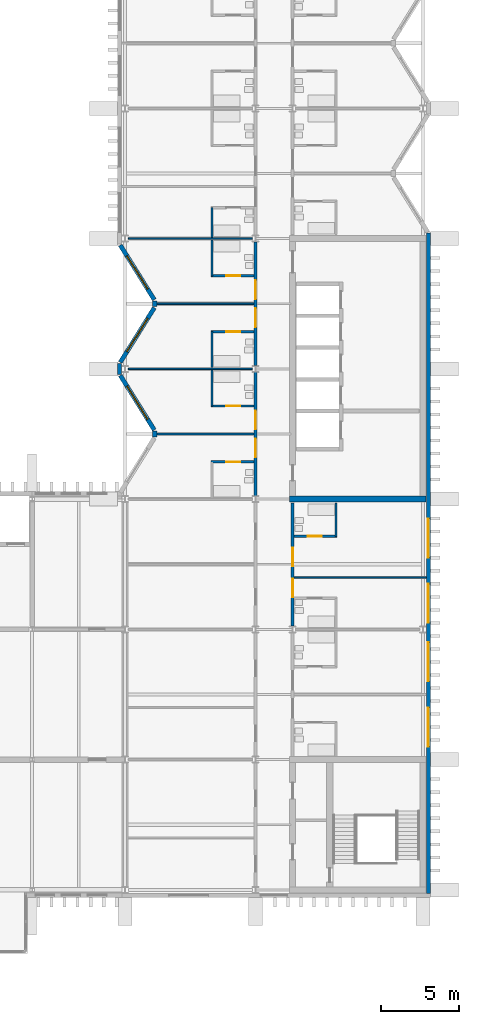
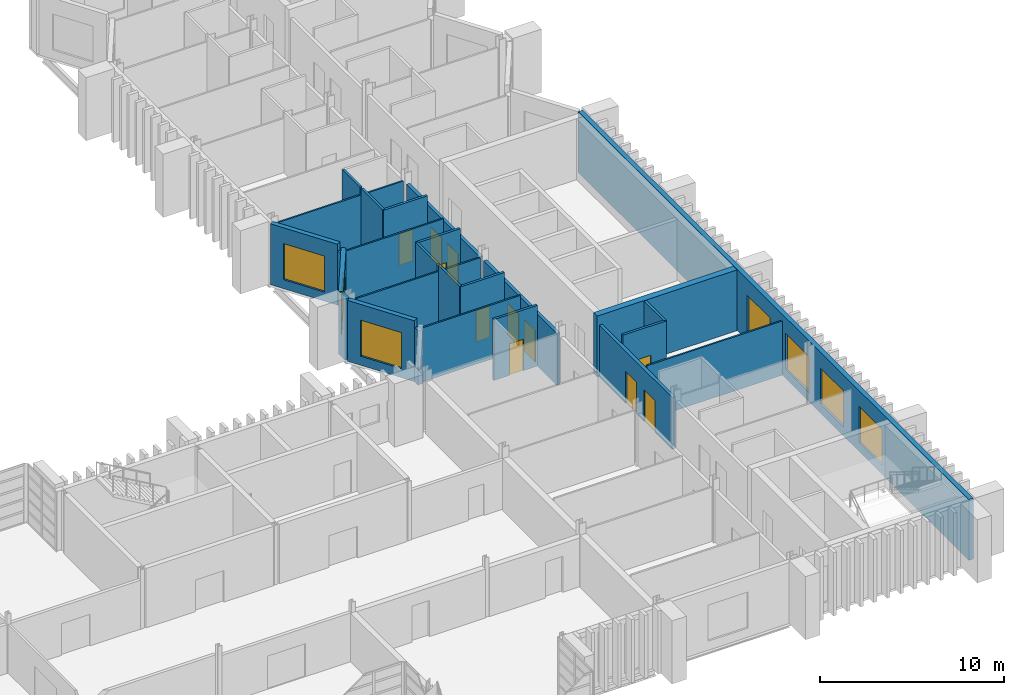
# One storey, part 67 of 88: 26 walls, 11 doors, 7 windows, 18 openings.
"""IFC4 building model written with IfcOpenShell, lengths in metres."""

from ifc_helpers import new_model, si_unit, direction, frame, frame_2d, origin, place, context, subcontext, project, spatial, rectangle, extrude, material, layer, layer_set, type_object, element, fill, save


model = new_model("IFC4")

# Units and contexts
model_context = context("Model", 3, precision=1e-05, world=origin(), true_north=direction((0.0, 1.0)))
body_context = subcontext(model_context, "Body", "Model", "MODEL_VIEW")
ifc_project = project(units=[si_unit("LENGTHUNIT", "METRE"), si_unit("AREAUNIT", "SQUARE_METRE"), si_unit("VOLUMEUNIT", "CUBIC_METRE"), si_unit("PLANEANGLEUNIT", "RADIAN"), si_unit("MASSUNIT", "GRAM", prefix="KILO")], contexts=[model_context])

# Site, building, storey
site_placement = place(None, origin())
site = spatial("IfcSite", under=ifc_project, at=site_placement, CompositionType="ELEMENT")
building_placement = place(site_placement, origin())
building = spatial("IfcBuilding", under=site, at=building_placement, Name="Cresset Court Congress Hotel", CompositionType="ELEMENT")
storey_placement = place(building_placement, frame((0.0, 0.0, 14.39990234375)))
storey = spatial("IfcBuildingStorey", under=building, at=storey_placement, Name="L03", CompositionType="ELEMENT", Elevation=14.39990234375)

# Wall, openings, doors
ifc_material_1 = material(Name="Gypsum board partition")
ifc_layer_1 = layer(ifc_material_1, 0.199951171875)
ifc_layer_set_1 = layer_set([ifc_layer_1], Name="Corridor wall 200")
wall_type_1 = type_object("IfcWallType", Name="Corridor wall 200", PredefinedType="PARTITIONING", material=ifc_layer_set_1)
wall_1_placement = place(storey_placement, frame((165.60009765625, 25.406982421875, 0.0), z_axis=(0.0, 0.0, 1.0), x_axis=(0.0, 1.0, 0.0)))
wall_1 = element("IfcWall", 1, at=wall_1_placement, inside=storey, type_object=wall_type_1, Name="A.wl.L03.064", PredefinedType="PARTITIONING", context=body_context, shape_type="SweptSolid", body=[
    extrude(rectangle(XDim=7.986083984375, YDim=0.199951171875, at=frame_2d((3.9931640625, 0.0))), origin(), (0.0, 0.0, 1.0), 3.4501953125),
])
opening_1_placement = place(wall_1_placement, frame((2.492919921875, 0.0, 0.0)))
opening_1 = element("IfcOpeningElement", 2, at=opening_1_placement, cuts=wall_1, Name="Opening DA-03-08", PredefinedType="OPENING", context=body_context, shape_type="SweptSolid", body=[
    extrude(rectangle(XDim=1.199951171875, YDim=2.10009765625, at=frame_2d((0.60009765625, 1.050048828125))), frame((0.0, 0.10986328125, 0.0), z_axis=(0.0, -1.0, 0.0), x_axis=(1.0, 0.0, 0.0)), (0.0, 0.0, 1.0), 0.219970703125),
])
opening_2_placement = place(wall_1_placement, frame((4.29296875, 0.0, 0.0)))
opening_2 = element("IfcOpeningElement", 3, at=opening_2_placement, cuts=wall_1, Name="Opening DA-03-10", PredefinedType="OPENING", context=body_context, shape_type="SweptSolid", body=[
    extrude(rectangle(XDim=1.199951171875, YDim=2.10009765625, at=frame_2d((0.60009765625, 1.050048828125))), frame((0.0, 0.10986328125, 0.0), z_axis=(0.0, -1.0, 0.0), x_axis=(1.0, 0.0, 0.0)), (0.0, 0.0, 1.0), 0.219970703125),
])
ifc_material_2 = material(Name="timber", Category="wood")
door_type_1 = type_object("IfcDoorType", Name="Guest-room entry door 1200x2100 FD30S", OperationType="SINGLE_SWING_LEFT", PredefinedType="DOOR", material=ifc_material_2)
door_1_placement = place(opening_1_placement, origin())
door_1 = element("IfcDoor", 4, at=door_1_placement, inside=storey, type_object=door_type_1, Name="Door DA-03-08", OperationType="SINGLE_SWING_RIGHT", OverallHeight=2.10009765625, OverallWidth=1.199951171875, PredefinedType="DOOR", context=body_context, shape_type="SweptSolid", body=[
    extrude(rectangle(XDim=1.199951171875, YDim=2.10009765625, at=frame_2d((0.60009765625, 1.050048828125))), frame((0.0, 0.02490234375, 0.0), z_axis=(0.0, -1.0, 0.0), x_axis=(1.0, 0.0, 0.0)), (0.0, 0.0, 1.0), 0.050048828125),
])
fill(opening_1, door_1)
door_2_placement = place(opening_2_placement, origin())
door_2 = element("IfcDoor", 5, at=door_2_placement, inside=storey, type_object=door_type_1, Name="Door DA-03-10", OperationType="SINGLE_SWING_LEFT", OverallHeight=2.10009765625, OverallWidth=1.199951171875, PredefinedType="DOOR", context=body_context, shape_type="SweptSolid", body=[
    extrude(rectangle(XDim=1.199951171875, YDim=2.10009765625, at=frame_2d((0.60009765625, 1.050048828125))), frame((0.0, 0.02490234375, 0.0), z_axis=(0.0, -1.0, 0.0), x_axis=(1.0, 0.0, 0.0)), (0.0, 0.0, 1.0), 0.050048828125),
])
fill(opening_2, door_2)

wall_2_placement = place(storey_placement, frame((165.60009765625, 33.806884765625, 0.0), z_axis=(0.0, 0.0, 1.0), x_axis=(0.0, 1.0, 0.0)))
wall_2 = element("IfcWall", 6, at=wall_2_placement, inside=storey, type_object=wall_type_1, Name="A.wl.L03.065", PredefinedType="PARTITIONING", context=body_context, shape_type="SweptSolid", body=[
    extrude(rectangle(XDim=7.986083984375, YDim=0.199951171875, at=frame_2d((3.9931640625, 0.0))), origin(), (0.0, 0.0, 1.0), 3.4501953125),
])
opening_3_placement = place(wall_2_placement, frame((2.492919921875, 0.0, 0.0)))
opening_3 = element("IfcOpeningElement", 7, at=opening_3_placement, cuts=wall_2, Name="Opening DA-03-12", PredefinedType="OPENING", context=body_context, shape_type="SweptSolid", body=[
    extrude(rectangle(XDim=1.199951171875, YDim=2.10009765625, at=frame_2d((0.60009765625, 1.050048828125))), frame((0.0, 0.10986328125, 0.0), z_axis=(0.0, -1.0, 0.0), x_axis=(1.0, 0.0, 0.0)), (0.0, 0.0, 1.0), 0.219970703125),
])
opening_4_placement = place(wall_2_placement, frame((4.29296875, 0.0, 0.0)))
opening_4 = element("IfcOpeningElement", 8, at=opening_4_placement, cuts=wall_2, Name="Opening DA-03-14", PredefinedType="OPENING", context=body_context, shape_type="SweptSolid", body=[
    extrude(rectangle(XDim=1.199951171875, YDim=2.10009765625, at=frame_2d((0.60009765625, 1.050048828125))), frame((0.0, 0.10986328125, 0.0), z_axis=(0.0, -1.0, 0.0), x_axis=(1.0, 0.0, 0.0)), (0.0, 0.0, 1.0), 0.219970703125),
])
door_3_placement = place(opening_3_placement, origin())
door_3 = element("IfcDoor", 9, at=door_3_placement, inside=storey, type_object=door_type_1, Name="Door DA-03-12", OperationType="SINGLE_SWING_RIGHT", OverallHeight=2.10009765625, OverallWidth=1.199951171875, PredefinedType="DOOR", context=body_context, shape_type="SweptSolid", body=[
    extrude(rectangle(XDim=1.199951171875, YDim=2.10009765625, at=frame_2d((0.60009765625, 1.050048828125))), frame((0.0, 0.02490234375, 0.0), z_axis=(0.0, -1.0, 0.0), x_axis=(1.0, 0.0, 0.0)), (0.0, 0.0, 1.0), 0.050048828125),
])
fill(opening_3, door_3)
door_4_placement = place(opening_4_placement, origin())
door_4 = element("IfcDoor", 10, at=door_4_placement, inside=storey, type_object=door_type_1, Name="Door DA-03-14", OperationType="SINGLE_SWING_LEFT", OverallHeight=2.10009765625, OverallWidth=1.199951171875, PredefinedType="DOOR", context=body_context, shape_type="SweptSolid", body=[
    extrude(rectangle(XDim=1.199951171875, YDim=2.10009765625, at=frame_2d((0.60009765625, 1.050048828125))), frame((0.0, 0.02490234375, 0.0), z_axis=(0.0, -1.0, 0.0), x_axis=(1.0, 0.0, 0.0)), (0.0, 0.0, 1.0), 0.050048828125),
])
fill(opening_4, door_4)

wall_3_placement = place(storey_placement, frame((168.0, 17.007080078125, 0.0), z_axis=(0.0, 0.0, 1.0), x_axis=(0.0, 1.0, 0.0)))
wall_3 = element("IfcWall", 11, at=wall_3_placement, inside=storey, type_object=wall_type_1, Name="A.wl.L03.070", PredefinedType="PARTITIONING", context=body_context, shape_type="SweptSolid", body=[
    extrude(rectangle(XDim=7.94287109375, YDim=0.199951171875, at=frame_2d((3.971435546875, 0.0))), origin(), (0.0, 0.0, 1.0), 3.4501953125),
])
opening_5_placement = place(wall_3_placement, frame((1.873046875, 0.0, 0.0)))
opening_5 = element("IfcOpeningElement", 12, at=opening_5_placement, cuts=wall_3, Name="Opening DA-03-32", PredefinedType="OPENING", context=body_context, shape_type="SweptSolid", body=[
    extrude(rectangle(XDim=1.199951171875, YDim=2.10009765625, at=frame_2d((0.60009765625, 1.050048828125))), frame((0.0, 0.10986328125, 0.0), z_axis=(0.0, -1.0, 0.0), x_axis=(1.0, 0.0, 0.0)), (0.0, 0.0, 1.0), 0.219970703125),
])
opening_6_placement = place(wall_3_placement, frame((3.873046875, 0.0, 0.0)))
opening_6 = element("IfcOpeningElement", 13, at=opening_6_placement, cuts=wall_3, Name="Opening DA-03-34", PredefinedType="OPENING", context=body_context, shape_type="SweptSolid", body=[
    extrude(rectangle(XDim=1.199951171875, YDim=2.10009765625, at=frame_2d((0.60009765625, 1.050048828125))), frame((0.0, 0.10986328125, 0.0), z_axis=(0.0, -1.0, 0.0), x_axis=(1.0, 0.0, 0.0)), (0.0, 0.0, 1.0), 0.219970703125),
])
door_5_placement = place(opening_5_placement, origin())
door_5 = element("IfcDoor", 14, at=door_5_placement, inside=storey, type_object=door_type_1, Name="Door DA-03-32", OperationType="SINGLE_SWING_RIGHT", OverallHeight=2.10009765625, OverallWidth=1.199951171875, PredefinedType="DOOR", context=body_context, shape_type="SweptSolid", body=[
    extrude(rectangle(XDim=1.199951171875, YDim=2.10009765625, at=frame_2d((0.60009765625, 1.050048828125))), frame((0.0, 0.02490234375, 0.0), z_axis=(0.0, -1.0, 0.0), x_axis=(1.0, 0.0, 0.0)), (0.0, 0.0, 1.0), 0.050048828125),
])
fill(opening_5, door_5)
door_6_placement = place(opening_6_placement, origin())
door_6 = element("IfcDoor", 15, at=door_6_placement, inside=storey, type_object=door_type_1, Name="Door DA-03-34", OperationType="SINGLE_SWING_LEFT", OverallHeight=2.10009765625, OverallWidth=1.199951171875, PredefinedType="DOOR", context=body_context, shape_type="SweptSolid", body=[
    extrude(rectangle(XDim=1.199951171875, YDim=2.10009765625, at=frame_2d((0.60009765625, 1.050048828125))), frame((0.0, 0.02490234375, 0.0), z_axis=(0.0, -1.0, 0.0), x_axis=(1.0, 0.0, 0.0)), (0.0, 0.0, 1.0), 0.050048828125),
])
fill(opening_6, door_6)

# Wall, opening, door
ifc_material_3 = material(Name="Gypsum board partition")
ifc_layer_2 = layer(ifc_material_3, 0.14990234375)
ifc_layer_set_2 = layer_set([ifc_layer_2], Name="En-suite wall 150")
wall_type_2 = type_object("IfcWallType", Name="En-suite wall 150", PredefinedType="PARTITIONING", material=ifc_layer_set_2)
wall_4_placement = place(storey_placement, frame((162.75, 27.60009765625, 0.0), z_axis=(0.0, 0.0, 1.0), x_axis=(1.0, 0.0, 0.0)))
wall_4 = element("IfcWall", 16, at=wall_4_placement, inside=storey, type_object=wall_type_2, Name="A.wl.L03.002", PredefinedType="PARTITIONING", context=body_context, shape_type="SweptSolid", body=[
    extrude(rectangle(XDim=2.75, YDim=0.14990234375, at=frame_2d((1.375, 0.0))), origin(), (0.0, 0.0, 1.0), 4.050048828125),
])
opening_7_placement = place(wall_4_placement, frame((0.97998046875, 0.0, 0.0)))
opening_7 = element("IfcOpeningElement", 17, at=opening_7_placement, cuts=wall_4, Name="Opening DA-03-07", PredefinedType="OPENING", context=body_context, shape_type="SweptSolid", body=[
    extrude(rectangle(XDim=0.89990234375, YDim=2.10009765625, at=frame_2d((0.449951171875, 1.050048828125))), frame((0.0, 0.0849609375, 0.0), z_axis=(0.0, -1.0, 0.0), x_axis=(1.0, 0.0, 0.0)), (0.0, 0.0, 1.0), 0.169921875),
])
ifc_material_4 = material(Name="timber", Category="wood")
door_type_2 = type_object("IfcDoorType", Name="En-suite door 900x2100", OperationType="SINGLE_SWING_LEFT", PredefinedType="DOOR", material=ifc_material_4)
door_7_placement = place(opening_7_placement, origin())
door_7 = element("IfcDoor", 18, at=door_7_placement, inside=storey, type_object=door_type_2, Name="Door DA-03-07", OperationType="SINGLE_SWING_RIGHT", OverallHeight=2.10009765625, OverallWidth=0.89990234375, PredefinedType="DOOR", context=body_context, shape_type="SweptSolid", body=[
    extrude(rectangle(XDim=0.89990234375, YDim=2.10009765625, at=frame_2d((0.449951171875, 1.050048828125))), frame((0.0, 0.02490234375, 0.0), z_axis=(0.0, -1.0, 0.0), x_axis=(1.0, 0.0, 0.0)), (0.0, 0.0, 1.0), 0.050048828125),
])
fill(opening_7, door_7)

# Wall
wall_5_placement = place(storey_placement, frame((162.800048828125, 31.199951171875, 0.0), z_axis=(0.0, 0.0, 1.0), x_axis=(0.0, 1.0, 0.0)))
element("IfcWall", 19, at=wall_5_placement, inside=storey, type_object=wall_type_2, Name="A.wl.L03.003", PredefinedType="PARTITIONING", context=body_context, shape_type="SweptSolid", body=[
    extrude(rectangle(XDim=2.324951171875, YDim=0.14990234375, at=frame_2d((1.16259765625, 0.0))), origin(), (0.0, 0.0, 1.0), 4.050048828125),
])

# Wall, opening, door
wall_6_placement = place(storey_placement, frame((162.75, 31.199951171875, 0.0), z_axis=(0.0, 0.0, 1.0), x_axis=(1.0, 0.0, 0.0)))
wall_6 = element("IfcWall", 20, at=wall_6_placement, inside=storey, type_object=wall_type_2, Name="A.wl.L03.004", PredefinedType="PARTITIONING", context=body_context, shape_type="SweptSolid", body=[
    extrude(rectangle(XDim=2.75, YDim=0.14990234375, at=frame_2d((1.375, 0.0))), origin(), (0.0, 0.0, 1.0), 4.050048828125),
])
opening_8_placement = place(wall_6_placement, frame((0.97998046875, 0.0, 0.0)))
opening_8 = element("IfcOpeningElement", 21, at=opening_8_placement, cuts=wall_6, Name="Opening DA-03-09", PredefinedType="OPENING", context=body_context, shape_type="SweptSolid", body=[
    extrude(rectangle(XDim=0.89990234375, YDim=2.10009765625, at=frame_2d((0.449951171875, 1.050048828125))), frame((0.0, 0.0849609375, 0.0), z_axis=(0.0, -1.0, 0.0), x_axis=(1.0, 0.0, 0.0)), (0.0, 0.0, 1.0), 0.169921875),
])
door_8_placement = place(opening_8_placement, origin())
door_8 = element("IfcDoor", 22, at=door_8_placement, inside=storey, type_object=door_type_2, Name="Door DA-03-09", OperationType="SINGLE_SWING_LEFT", OverallHeight=2.10009765625, OverallWidth=0.89990234375, PredefinedType="DOOR", context=body_context, shape_type="SweptSolid", body=[
    extrude(rectangle(XDim=0.89990234375, YDim=2.10009765625, at=frame_2d((0.449951171875, 1.050048828125))), frame((0.0, 0.02490234375, 0.0), z_axis=(0.0, -1.0, 0.0), x_axis=(1.0, 0.0, 0.0)), (0.0, 0.0, 1.0), 0.050048828125),
])
fill(opening_8, door_8)

# Wall
wall_7_placement = place(storey_placement, frame((162.800048828125, 33.675048828125, 0.0), z_axis=(0.0, 0.0, 1.0), x_axis=(0.0, 1.0, 0.0)))
element("IfcWall", 23, at=wall_7_placement, inside=storey, type_object=wall_type_2, Name="A.wl.L03.005", PredefinedType="PARTITIONING", context=body_context, shape_type="SweptSolid", body=[
    extrude(rectangle(XDim=2.324951171875, YDim=0.14990234375, at=frame_2d((1.16259765625, 0.0))), origin(), (0.0, 0.0, 1.0), 4.050048828125),
])

# Wall, opening, door
wall_8_placement = place(storey_placement, frame((162.75, 36.0, 0.0), z_axis=(0.0, 0.0, 1.0), x_axis=(1.0, 0.0, 0.0)))
wall_8 = element("IfcWall", 24, at=wall_8_placement, inside=storey, type_object=wall_type_2, Name="A.wl.L03.006", PredefinedType="PARTITIONING", context=body_context, shape_type="SweptSolid", body=[
    extrude(rectangle(XDim=2.75, YDim=0.14990234375, at=frame_2d((1.375, 0.0))), origin(), (0.0, 0.0, 1.0), 4.050048828125),
])
opening_9_placement = place(wall_8_placement, frame((0.97998046875, 0.0, 0.0)))
opening_9 = element("IfcOpeningElement", 25, at=opening_9_placement, cuts=wall_8, Name="Opening DA-03-11", PredefinedType="OPENING", context=body_context, shape_type="SweptSolid", body=[
    extrude(rectangle(XDim=0.89990234375, YDim=2.10009765625, at=frame_2d((0.449951171875, 1.050048828125))), frame((0.0, 0.0849609375, 0.0), z_axis=(0.0, -1.0, 0.0), x_axis=(1.0, 0.0, 0.0)), (0.0, 0.0, 1.0), 0.169921875),
])
door_9_placement = place(opening_9_placement, origin())
door_9 = element("IfcDoor", 26, at=door_9_placement, inside=storey, type_object=door_type_2, Name="Door DA-03-11", OperationType="SINGLE_SWING_RIGHT", OverallHeight=2.10009765625, OverallWidth=0.89990234375, PredefinedType="DOOR", context=body_context, shape_type="SweptSolid", body=[
    extrude(rectangle(XDim=0.89990234375, YDim=2.10009765625, at=frame_2d((0.449951171875, 1.050048828125))), frame((0.0, 0.02490234375, 0.0), z_axis=(0.0, -1.0, 0.0), x_axis=(1.0, 0.0, 0.0)), (0.0, 0.0, 1.0), 0.050048828125),
])
fill(opening_9, door_9)

# Wall
wall_9_placement = place(storey_placement, frame((162.800048828125, 39.60009765625, 0.0), z_axis=(0.0, 0.0, 1.0), x_axis=(0.0, 1.0, 0.0)))
element("IfcWall", 27, at=wall_9_placement, inside=storey, type_object=wall_type_2, Name="A.wl.L03.007", PredefinedType="PARTITIONING", context=body_context, shape_type="SweptSolid", body=[
    extrude(rectangle(XDim=2.324951171875, YDim=0.14990234375, at=frame_2d((1.16259765625, 0.0))), origin(), (0.0, 0.0, 1.0), 4.050048828125),
])

# Wall, opening, door
wall_10_placement = place(storey_placement, frame((162.75, 39.60009765625, 0.0), z_axis=(0.0, 0.0, 1.0), x_axis=(1.0, 0.0, 0.0)))
wall_10 = element("IfcWall", 28, at=wall_10_placement, inside=storey, type_object=wall_type_2, Name="A.wl.L03.008", PredefinedType="PARTITIONING", context=body_context, shape_type="SweptSolid", body=[
    extrude(rectangle(XDim=2.75, YDim=0.14990234375, at=frame_2d((1.375, 0.0))), origin(), (0.0, 0.0, 1.0), 4.050048828125),
])
opening_10_placement = place(wall_10_placement, frame((0.97998046875, 0.0, 0.0)))
opening_10 = element("IfcOpeningElement", 29, at=opening_10_placement, cuts=wall_10, Name="Opening DA-03-13", PredefinedType="OPENING", context=body_context, shape_type="SweptSolid", body=[
    extrude(rectangle(XDim=0.89990234375, YDim=2.10009765625, at=frame_2d((0.449951171875, 1.050048828125))), frame((0.0, 0.0849609375, 0.0), z_axis=(0.0, -1.0, 0.0), x_axis=(1.0, 0.0, 0.0)), (0.0, 0.0, 1.0), 0.169921875),
])
door_10_placement = place(opening_10_placement, origin())
door_10 = element("IfcDoor", 30, at=door_10_placement, inside=storey, type_object=door_type_2, Name="Door DA-03-13", OperationType="SINGLE_SWING_LEFT", OverallHeight=2.10009765625, OverallWidth=0.89990234375, PredefinedType="DOOR", context=body_context, shape_type="SweptSolid", body=[
    extrude(rectangle(XDim=0.89990234375, YDim=2.10009765625, at=frame_2d((0.449951171875, 1.050048828125))), frame((0.0, 0.02490234375, 0.0), z_axis=(0.0, -1.0, 0.0), x_axis=(1.0, 0.0, 0.0)), (0.0, 0.0, 1.0), 0.050048828125),
])
fill(opening_10, door_10)

# Walls
wall_11_placement = place(storey_placement, frame((162.800048828125, 42.074951171875, 0.0), z_axis=(0.0, 0.0, 1.0), x_axis=(0.0, 1.0, 0.0)))
element("IfcWall", 31, at=wall_11_placement, inside=storey, type_object=wall_type_2, Name="A.wl.L03.009", PredefinedType="PARTITIONING", context=body_context, shape_type="SweptSolid", body=[
    extrude(rectangle(XDim=1.925048828125, YDim=0.14990234375, at=frame_2d((0.96240234375, 0.0))), origin(), (0.0, 0.0, 1.0), 4.050048828125),
])
wall_12_placement = place(storey_placement, frame((170.800048828125, 22.800048828125, 0.0), z_axis=(0.0, 0.0, 1.0), x_axis=(0.0, 1.0, 0.0)))
element("IfcWall", 32, at=wall_12_placement, inside=storey, type_object=wall_type_2, Name="A.wl.L03.027", PredefinedType="PARTITIONING", context=body_context, shape_type="SweptSolid", body=[
    extrude(rectangle(XDim=2.14990234375, YDim=0.14990234375, at=frame_2d((1.074951171875, 0.0))), origin(), (0.0, 0.0, 1.0), 4.050048828125),
])

# Wall, opening, door
wall_13_placement = place(storey_placement, frame((170.85009765625, 22.800048828125, 0.0), z_axis=(0.0, 0.0, 1.0), x_axis=(-1.0, 0.0, 0.0)))
wall_13 = element("IfcWall", 33, at=wall_13_placement, inside=storey, type_object=wall_type_2, Name="A.wl.L03.028", PredefinedType="PARTITIONING", context=body_context, shape_type="SweptSolid", body=[
    extrude(rectangle(XDim=2.75, YDim=0.14990234375, at=frame_2d((1.375, 0.0))), origin(), (0.0, 0.0, 1.0), 4.050048828125),
])
opening_11_placement = place(wall_13_placement, frame((0.97998046875, 0.0, 0.0)))
opening_11 = element("IfcOpeningElement", 34, at=opening_11_placement, cuts=wall_13, Name="Opening DA-03-33", PredefinedType="OPENING", context=body_context, shape_type="SweptSolid", body=[
    extrude(rectangle(XDim=0.89990234375, YDim=2.10009765625, at=frame_2d((0.449951171875, 1.050048828125))), frame((0.0, 0.0849609375, 0.0), z_axis=(0.0, -1.0, 0.0), x_axis=(1.0, 0.0, 0.0)), (0.0, 0.0, 1.0), 0.169921875),
])
door_11_placement = place(opening_11_placement, origin())
door_11 = element("IfcDoor", 35, at=door_11_placement, inside=storey, type_object=door_type_2, Name="Door DA-03-33", OperationType="SINGLE_SWING_LEFT", OverallHeight=2.10009765625, OverallWidth=0.89990234375, PredefinedType="DOOR", context=body_context, shape_type="SweptSolid", body=[
    extrude(rectangle(XDim=0.89990234375, YDim=2.10009765625, at=frame_2d((0.449951171875, 1.050048828125))), frame((0.0, 0.02490234375, 0.0), z_axis=(0.0, -1.0, 0.0), x_axis=(1.0, 0.0, 0.0)), (0.0, 0.0, 1.0), 0.050048828125),
])
fill(opening_11, door_11)

# Wall, opening, window
ifc_material_5 = material(Name="Precast concrete C50", Category="concrete")
ifc_layer_3 = layer(ifc_material_5, 0.280029296875)
ifc_layer_set_3 = layer_set([ifc_layer_3], Name="External wall 280")
wall_type_3 = type_object("IfcWallType", Name="External wall 280", PredefinedType="SOLIDWALL", material=ifc_layer_set_3)
wall_14_placement = place(storey_placement, frame((159.07861328125, 29.658935546875, 0.0), z_axis=(0.0, 0.0, 1.0), x_axis=(-0.529018946142, 0.848610013271, 0.0)))
wall_14 = element("IfcWall", 36, at=wall_14_placement, inside=storey, type_object=wall_type_3, Name="A.ew.L03.Wn.3.1", PredefinedType="SOLIDWALL", context=body_context, shape_type="SweptSolid", body=[
    extrude(rectangle(XDim=4.144287109375, YDim=0.280029296875, at=frame_2d((2.072265625, 0.0))), origin(), (0.0, 0.0, 1.0), 4.050048828125),
])
opening_12_placement = place(wall_14_placement, frame((0.812255859375, 0.0, 0.60009765625)))
opening_12 = element("IfcOpeningElement", 37, at=opening_12_placement, cuts=wall_14, Name="Opening NA-03-02", PredefinedType="OPENING", context=body_context, shape_type="SweptSolid", body=[
    extrude(rectangle(XDim=2.52001953125, YDim=2.39990234375, at=frame_2d((1.260009765625, 1.199951171875))), frame((0.0, 0.14990234375, 0.0), z_axis=(0.0, -1.0, 0.0), x_axis=(1.0, 0.0, 0.0)), (0.0, 0.0, 1.0), 0.300048828125),
])
ifc_material_6 = material(Name="Aluminium and glass", Category="aluminium")
window_type = type_object("IfcWindowType", Name="Window 2520x2400", PartitioningType="SINGLE_PANEL", PredefinedType="WINDOW", material=ifc_material_6)
window_1_placement = place(opening_12_placement, origin())
window_1 = element("IfcWindow", 38, at=window_1_placement, inside=storey, type_object=window_type, Name="Window NA-03-02", OverallHeight=2.39990234375, OverallWidth=2.52001953125, PartitioningType="SINGLE_PANEL", PredefinedType="WINDOW", context=body_context, shape_type="SweptSolid", body=[
    extrude(rectangle(XDim=2.52001953125, YDim=2.39990234375, at=frame_2d((1.260009765625, 1.199951171875))), frame((0.0, 0.030029296875, 0.0), z_axis=(0.0, -1.0, 0.0), x_axis=(1.0, 0.0, 0.0)), (0.0, 0.0, 1.0), 0.06005859375),
])
fill(opening_12, window_1)

# Walls
wall_15_placement = place(storey_placement, frame((159.099609375, 29.215087890625, 0.0), z_axis=(0.0, 0.0, 1.0), x_axis=(0.0, 1.0, 0.0)))
element("IfcWall", 39, at=wall_15_placement, inside=storey, type_object=wall_type_3, Name="A.ew.L03.Wn.3.2", PredefinedType="SOLIDWALL", context=body_context, shape_type="SweptSolid", body=[
    extrude(rectangle(XDim=0.369873046875, YDim=0.280029296875, at=frame_2d((0.18505859375, 0.0))), origin(), (0.0, 0.0, 1.0), 3.60400390625),
])
wall_16_placement = place(storey_placement, frame((156.840087890625, 33.25, 0.0), z_axis=(0.0, 0.0, 1.0), x_axis=(0.0, 1.0, 0.0)))
element("IfcWall", 40, at=wall_16_placement, inside=storey, type_object=wall_type_3, Name="A.ew.L03.W.2", PredefinedType="SOLIDWALL", context=body_context, shape_type="SweptSolid", body=[
    extrude(rectangle(XDim=0.699951171875, YDim=0.280029296875, at=frame_2d((0.35009765625, 0.0))), origin(), (0.0, 0.0, 1.0), 4.050048828125),
])

# Wall, opening, window
wall_17_placement = place(storey_placement, frame((156.88623046875, 34.024169921875, 0.0), z_axis=(0.0, 0.0, 1.0), x_axis=(0.529018946142, 0.848610013271, 0.0)))
wall_17 = element("IfcWall", 41, at=wall_17_placement, inside=storey, type_object=wall_type_3, Name="A.ew.L03.Wn.4.0", PredefinedType="SOLIDWALL", context=body_context, shape_type="SweptSolid", body=[
    extrude(rectangle(XDim=4.144287109375, YDim=0.280029296875, at=frame_2d((2.072265625, 0.0))), origin(), (0.0, 0.0, 1.0), 4.050048828125),
])
opening_13_placement = place(wall_17_placement, frame((0.812255859375, 0.0, 0.60009765625)))
opening_13 = element("IfcOpeningElement", 42, at=opening_13_placement, cuts=wall_17, Name="Opening NA-03-03", PredefinedType="OPENING", context=body_context, shape_type="SweptSolid", body=[
    extrude(rectangle(XDim=2.52001953125, YDim=2.39990234375, at=frame_2d((1.260009765625, 1.199951171875))), frame((0.0, 0.14990234375, 0.0), z_axis=(0.0, -1.0, 0.0), x_axis=(1.0, 0.0, 0.0)), (0.0, 0.0, 1.0), 0.300048828125),
])
window_2_placement = place(opening_13_placement, origin())
window_2 = element("IfcWindow", 43, at=window_2_placement, inside=storey, type_object=window_type, Name="Window NA-03-03", OverallHeight=2.39990234375, OverallWidth=2.52001953125, PartitioningType="SINGLE_PANEL", PredefinedType="WINDOW", context=body_context, shape_type="SweptSolid", body=[
    extrude(rectangle(XDim=2.52001953125, YDim=2.39990234375, at=frame_2d((1.260009765625, 1.199951171875))), frame((0.0, 0.030029296875, 0.0), z_axis=(0.0, -1.0, 0.0), x_axis=(1.0, 0.0, 0.0)), (0.0, 0.0, 1.0), 0.06005859375),
])
fill(opening_13, window_2)

wall_18_placement = place(storey_placement, frame((159.07861328125, 38.05908203125, 0.0), z_axis=(0.0, 0.0, 1.0), x_axis=(-0.529018946142, 0.848610013271, 0.0)))
wall_18 = element("IfcWall", 44, at=wall_18_placement, inside=storey, type_object=wall_type_3, Name="A.ew.L03.Wn.4.1", PredefinedType="SOLIDWALL", context=body_context, shape_type="SweptSolid", body=[
    extrude(rectangle(XDim=4.144287109375, YDim=0.280029296875, at=frame_2d((2.072265625, 0.0))), origin(), (0.0, 0.0, 1.0), 4.050048828125),
])
opening_14_placement = place(wall_18_placement, frame((0.812255859375, 0.0, 0.60009765625)))
opening_14 = element("IfcOpeningElement", 45, at=opening_14_placement, cuts=wall_18, Name="Opening NA-03-04", PredefinedType="OPENING", context=body_context, shape_type="SweptSolid", body=[
    extrude(rectangle(XDim=2.52001953125, YDim=2.39990234375, at=frame_2d((1.260009765625, 1.199951171875))), frame((0.0, 0.14990234375, 0.0), z_axis=(0.0, -1.0, 0.0), x_axis=(1.0, 0.0, 0.0)), (0.0, 0.0, 1.0), 0.300048828125),
])
window_3_placement = place(opening_14_placement, origin())
window_3 = element("IfcWindow", 46, at=window_3_placement, inside=storey, type_object=window_type, Name="Window NA-03-04", OverallHeight=2.39990234375, OverallWidth=2.52001953125, PartitioningType="SINGLE_PANEL", PredefinedType="WINDOW", context=body_context, shape_type="SweptSolid", body=[
    extrude(rectangle(XDim=2.52001953125, YDim=2.39990234375, at=frame_2d((1.260009765625, 1.199951171875))), frame((0.0, 0.030029296875, 0.0), z_axis=(0.0, -1.0, 0.0), x_axis=(1.0, 0.0, 0.0)), (0.0, 0.0, 1.0), 0.06005859375),
])
fill(opening_14, window_3)

# Wall
wall_19_placement = place(storey_placement, frame((159.099609375, 37.614990234375, 0.0), z_axis=(0.0, 0.0, 1.0), x_axis=(0.0, 1.0, 0.0)))
element("IfcWall", 47, at=wall_19_placement, inside=storey, type_object=wall_type_3, Name="A.ew.L03.Wn.4.2", PredefinedType="SOLIDWALL", context=body_context, shape_type="SweptSolid", body=[
    extrude(rectangle(XDim=0.369873046875, YDim=0.280029296875, at=frame_2d((0.18505859375, 0.0))), origin(), (0.0, 0.0, 1.0), 3.60400390625),
])

# Wall, openings, windows
wall_20_placement = place(storey_placement, frame((176.760009765625, -0.219970703125, 0.0), z_axis=(0.0, 0.0, 1.0), x_axis=(0.0, 1.0, 0.0)))
wall_20 = element("IfcWall", 48, at=wall_20_placement, inside=storey, type_object=wall_type_3, Name="A.ew.L03.E.1", PredefinedType="SOLIDWALL", context=body_context, shape_type="SweptSolid", body=[
    extrude(rectangle(XDim=42.570068359375, YDim=0.280029296875, at=frame_2d((21.28515625, 0.0))), origin(), (0.0, 0.0, 1.0), 4.050048828125),
])
opening_15_placement = place(wall_20_placement, frame((9.4599609375, 0.0, 0.60009765625)))
opening_15 = element("IfcOpeningElement", 49, at=opening_15_placement, cuts=wall_20, Name="Opening NA-03-11", PredefinedType="OPENING", context=body_context, shape_type="SweptSolid", body=[
    extrude(rectangle(XDim=2.52001953125, YDim=2.39990234375, at=frame_2d((1.260009765625, 1.199951171875))), frame((0.0, 0.14990234375, 0.0), z_axis=(0.0, -1.0, 0.0), x_axis=(1.0, 0.0, 0.0)), (0.0, 0.0, 1.0), 0.300048828125),
])
opening_16_placement = place(wall_20_placement, frame((13.659912109375, 0.0, 0.60009765625)))
opening_16 = element("IfcOpeningElement", 50, at=opening_16_placement, cuts=wall_20, Name="Opening NA-03-12", PredefinedType="OPENING", context=body_context, shape_type="SweptSolid", body=[
    extrude(rectangle(XDim=2.52001953125, YDim=2.39990234375, at=frame_2d((1.260009765625, 1.199951171875))), frame((0.0, 0.14990234375, 0.0), z_axis=(0.0, -1.0, 0.0), x_axis=(1.0, 0.0, 0.0)), (0.0, 0.0, 1.0), 0.300048828125),
])
opening_17_placement = place(wall_20_placement, frame((17.43994140625, 0.0, 0.60009765625)))
opening_17 = element("IfcOpeningElement", 51, at=opening_17_placement, cuts=wall_20, Name="Opening NA-03-13", PredefinedType="OPENING", context=body_context, shape_type="SweptSolid", body=[
    extrude(rectangle(XDim=2.52001953125, YDim=2.39990234375, at=frame_2d((1.260009765625, 1.199951171875))), frame((0.0, 0.14990234375, 0.0), z_axis=(0.0, -1.0, 0.0), x_axis=(1.0, 0.0, 0.0)), (0.0, 0.0, 1.0), 0.300048828125),
])
opening_18_placement = place(wall_20_placement, frame((21.639892578125, 0.0, 0.60009765625)))
opening_18 = element("IfcOpeningElement", 52, at=opening_18_placement, cuts=wall_20, Name="Opening NA-03-14", PredefinedType="OPENING", context=body_context, shape_type="SweptSolid", body=[
    extrude(rectangle(XDim=2.52001953125, YDim=2.39990234375, at=frame_2d((1.260009765625, 1.199951171875))), frame((0.0, 0.14990234375, 0.0), z_axis=(0.0, -1.0, 0.0), x_axis=(1.0, 0.0, 0.0)), (0.0, 0.0, 1.0), 0.300048828125),
])
window_4_placement = place(opening_15_placement, origin())
window_4 = element("IfcWindow", 53, at=window_4_placement, inside=storey, type_object=window_type, Name="Window NA-03-11", OverallHeight=2.39990234375, OverallWidth=2.52001953125, PartitioningType="SINGLE_PANEL", PredefinedType="WINDOW", context=body_context, shape_type="SweptSolid", body=[
    extrude(rectangle(XDim=2.52001953125, YDim=2.39990234375, at=frame_2d((1.260009765625, 1.199951171875))), frame((0.0, 0.030029296875, 0.0), z_axis=(0.0, -1.0, 0.0), x_axis=(1.0, 0.0, 0.0)), (0.0, 0.0, 1.0), 0.06005859375),
])
fill(opening_15, window_4)
window_5_placement = place(opening_16_placement, origin())
window_5 = element("IfcWindow", 54, at=window_5_placement, inside=storey, type_object=window_type, Name="Window NA-03-12", OverallHeight=2.39990234375, OverallWidth=2.52001953125, PartitioningType="SINGLE_PANEL", PredefinedType="WINDOW", context=body_context, shape_type="SweptSolid", body=[
    extrude(rectangle(XDim=2.52001953125, YDim=2.39990234375, at=frame_2d((1.260009765625, 1.199951171875))), frame((0.0, 0.030029296875, 0.0), z_axis=(0.0, -1.0, 0.0), x_axis=(1.0, 0.0, 0.0)), (0.0, 0.0, 1.0), 0.06005859375),
])
fill(opening_16, window_5)
window_6_placement = place(opening_17_placement, origin())
window_6 = element("IfcWindow", 55, at=window_6_placement, inside=storey, type_object=window_type, Name="Window NA-03-13", OverallHeight=2.39990234375, OverallWidth=2.52001953125, PartitioningType="SINGLE_PANEL", PredefinedType="WINDOW", context=body_context, shape_type="SweptSolid", body=[
    extrude(rectangle(XDim=2.52001953125, YDim=2.39990234375, at=frame_2d((1.260009765625, 1.199951171875))), frame((0.0, 0.030029296875, 0.0), z_axis=(0.0, -1.0, 0.0), x_axis=(1.0, 0.0, 0.0)), (0.0, 0.0, 1.0), 0.06005859375),
])
fill(opening_17, window_6)
window_7_placement = place(opening_18_placement, origin())
window_7 = element("IfcWindow", 56, at=window_7_placement, inside=storey, type_object=window_type, Name="Window NA-03-14", OverallHeight=2.39990234375, OverallWidth=2.52001953125, PartitioningType="SINGLE_PANEL", PredefinedType="WINDOW", context=body_context, shape_type="SweptSolid", body=[
    extrude(rectangle(XDim=2.52001953125, YDim=2.39990234375, at=frame_2d((1.260009765625, 1.199951171875))), frame((0.0, 0.030029296875, 0.0), z_axis=(0.0, -1.0, 0.0), x_axis=(1.0, 0.0, 0.0)), (0.0, 0.0, 1.0), 0.06005859375),
])
fill(opening_18, window_7)

# Walls
ifc_material_7 = material(Name="Gypsum board partition")
ifc_layer_4 = layer(ifc_material_7, 0.10009765625)
ifc_layer_set_4 = layer_set([ifc_layer_4], Name="Guest-room partition 100")
wall_type_4 = type_object("IfcWallType", Name="Guest-room partition 100", PredefinedType="PARTITIONING", material=ifc_layer_set_4)
for number, where, z_axis, x_axis, name in (
    (57, (157.402587890625, 33.60009765625, 0.0), (0.0, 0.0, 1.0), (1.0, 0.0, 0.0), "A.wl.L03.040"),
    (58, (157.402587890625, 42.0, 0.0), (0.0, 0.0, 1.0), (1.0, 0.0, 0.0), "A.wl.L03.041"),
):
    element("IfcWall", number, at=place(storey_placement, frame(where, z_axis=z_axis, x_axis=x_axis)), inside=storey, type_object=wall_type_4, Name=name, PredefinedType="PARTITIONING", context=body_context, shape_type="SweptSolid", body=[
        extrude(rectangle(XDim=7.994873046875, YDim=0.10009765625, at=frame_2d((3.99755859375, 0.0))), origin(), (0.0, 0.0, 1.0), 3.60400390625),
    ])
for number, where, z_axis, x_axis, name in (
    (59, (159.23974609375, 29.39990234375, 0.0), (0.0, 0.0, 1.0), (1.0, 0.0, 0.0), "A.wl.L03.049"),
    (60, (159.23974609375, 37.800048828125, 0.0), (0.0, 0.0, 1.0), (1.0, 0.0, 0.0), "A.wl.L03.050"),
):
    element("IfcWall", number, at=place(storey_placement, frame(where, z_axis=z_axis, x_axis=x_axis)), inside=storey, type_object=wall_type_4, Name=name, PredefinedType="PARTITIONING", context=body_context, shape_type="SweptSolid", body=[
        extrude(rectangle(XDim=6.26025390625, YDim=0.10009765625, at=frame_2d((3.130126953125, 0.0))), origin(), (0.0, 0.0, 1.0), 3.60400390625),
    ])
wall_21_placement = place(storey_placement, frame((168.10009765625, 20.159912109375, 0.0), z_axis=(0.0, 0.0, 1.0), x_axis=(1.0, 0.0, 0.0)))
element("IfcWall", 61, at=wall_21_placement, inside=storey, type_object=wall_type_4, Name="A.wl.L03.055", PredefinedType="PARTITIONING", context=body_context, shape_type="SweptSolid", body=[
    extrude(rectangle(XDim=8.52001953125, YDim=0.10009765625, at=frame_2d((4.260009765625, 0.0))), origin(), (0.0, 0.0, 1.0), 3.60400390625),
])
ifc_material_8 = material(Name="Concrete C50", Category="concrete")
ifc_layer_5 = layer(ifc_material_8, 0.39990234375)
ifc_layer_set_5 = layer_set([ifc_layer_5], Name="Lift core wall 400")
wall_type_5 = type_object("IfcWallType", Name="Lift core wall 400", PredefinedType="SOLIDWALL", material=ifc_layer_set_5)
wall_22_placement = place(storey_placement, frame((167.800048828125, 25.199951171875, 0.0), z_axis=(0.0, 0.0, 1.0), x_axis=(1.0, 0.0, 0.0)))
element("IfcWall", 62, at=wall_22_placement, inside=storey, type_object=wall_type_5, Name="A.cw.LC-A.L03.S", PredefinedType="SOLIDWALL", context=body_context, shape_type="SweptSolid", body=[
    extrude(rectangle(XDim=8.800048828125, YDim=0.39990234375, at=frame_2d((4.39990234375, 0.0))), origin(), (0.0, 0.0, 1.0), 4.050048828125),
])

save(model, "model.ifc")
